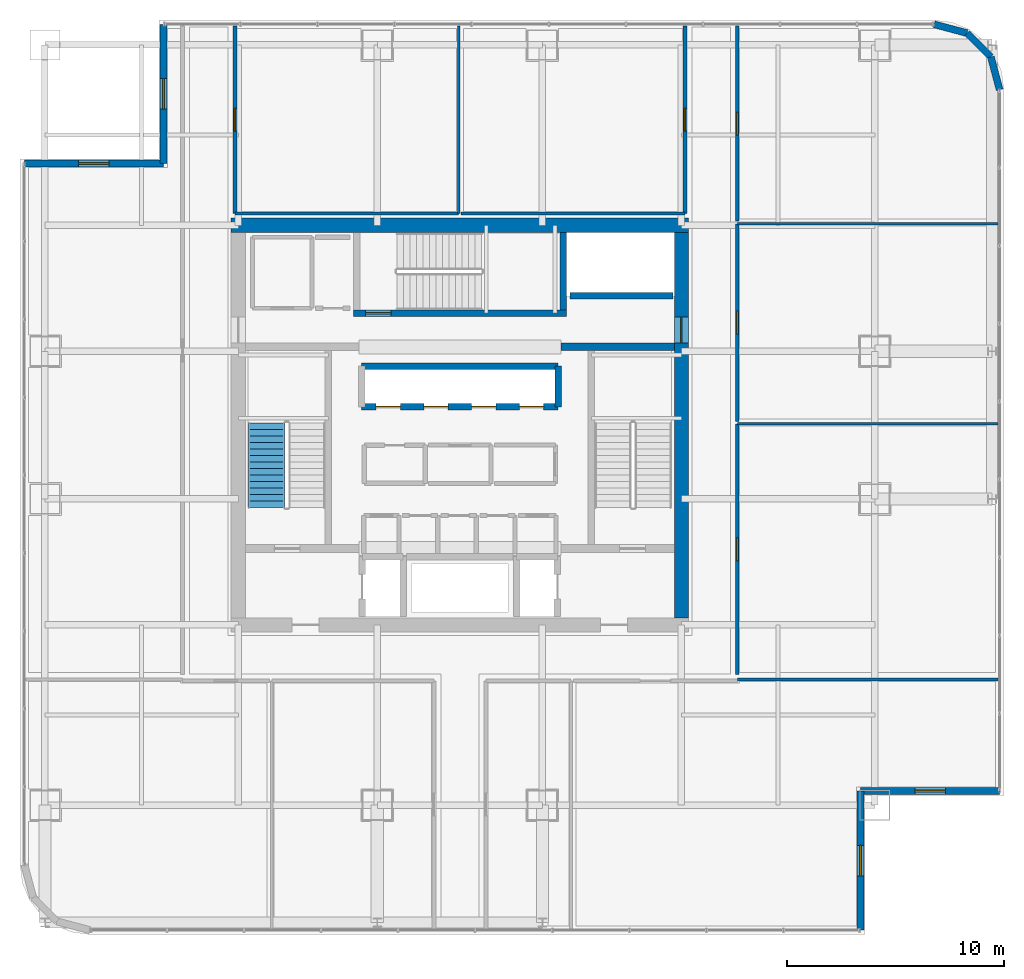
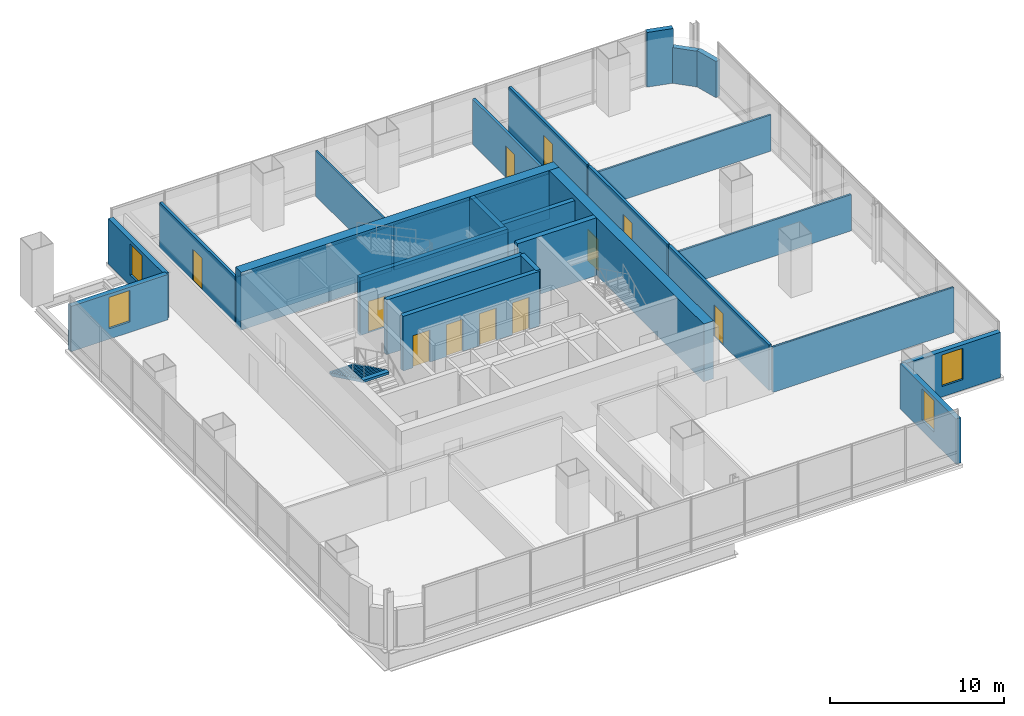
# One storey, part 31 of 36: 27 walls, 11 doors, 4 windows, 1 stair flight, 15 openings, 1 element without a shape of its own.
"""IFC4 building model written with IfcOpenShell, lengths in metres."""

import ifcopenshell
import ifcopenshell.guid

model = None  # the IFC model being written
_history = None  # IfcOwnerHistory: only IFC2X3 demands one
_inside = {}  # id of a spatial element -> (the spatial element, [elements in it])
_under = {}  # id of a project, library or spatial element -> (it, [spatial elements below it])
_declared = {}  # id of a project -> (the project, [libraries it declares])
_typed = {}  # id of a type object -> (the type object, [elements of that type])
_made_of = {}  # id of a material, layer set ... -> (it, [elements and type objects made of it])


def new_model(schema):
    """Start an empty IFC model of exactly this schema.

    Asked for "IFC4X3", IfcOpenShell would pick the latest addendum, in which some entities
    have other attributes; the version numbers below select the first issue.
    IFC2X3 requires an IfcOwnerHistory on every rooted entity: one is made here for all.
    """
    global model, _history
    if schema == "IFC4X3":
        model = ifcopenshell.file(schema_version=(4, 3, 0, 0))
    else:
        model = ifcopenshell.file(schema=schema)
    _inside.clear()
    _under.clear()
    _declared.clear()
    _typed.clear()
    _made_of.clear()
    _history = None
    if model.schema == "IFC2X3":
        org = make("IfcOrganization", Name="unknown")
        user = make(
            "IfcPersonAndOrganization",
            ThePerson=make("IfcPerson", FamilyName="unknown"),
            TheOrganization=org,
        )
        app = make(
            "IfcApplication",
            ApplicationDeveloper=org,
            Version="unknown",
            ApplicationFullName="unknown",
            ApplicationIdentifier="unknown",
        )
        _history = make(
            "IfcOwnerHistory",
            OwningUser=user,
            OwningApplication=app,
            ChangeAction="ADDED",
            CreationDate=0,
        )
    return model


def make(cls, **values):
    """One entity of the class cls with the attributes given. An attribute that is None is left unset."""
    return model.create_entity(
        cls, **{name: value for name, value in values.items() if value is not None}
    )


def rooted(cls, **values):
    """An entity with a GlobalId (a new one), such as an element, a storey or a relation."""
    return make(cls, GlobalId=ifcopenshell.guid.new(), OwnerHistory=_history, **values)


def si_unit(unit_type, name, prefix=None):
    """IfcSIUnit, for example si_unit("LENGTHUNIT", "METRE", prefix="MILLI")."""
    return make("IfcSIUnit", UnitType=unit_type, Prefix=prefix, Name=name)


def assignment(units):
    """IfcUnitAssignment: the units of a project."""
    return None if units is None else make("IfcUnitAssignment", Units=units)


def point(xyz):
    """IfcCartesianPoint."""
    return None if xyz is None else make("IfcCartesianPoint", Coordinates=xyz)


def direction(xyz):
    """IfcDirection."""
    return None if xyz is None else make("IfcDirection", DirectionRatios=xyz)


def frame(location, z_axis=None, x_axis=None):
    """IfcAxis2Placement3D, a coordinate frame: its origin and axes. An axis left out is left unset."""
    return make(
        "IfcAxis2Placement3D",
        Location=point(location),
        Axis=direction(z_axis),
        RefDirection=direction(x_axis),
    )


def frame_2d(location, x_axis=None):
    """IfcAxis2Placement2D, a coordinate frame in the plane: its origin and x axis."""
    return make(
        "IfcAxis2Placement2D", Location=point(location), RefDirection=direction(x_axis)
    )


def origin():
    """The frame at (0, 0, 0) with its axes left unset."""
    return frame((0.0, 0.0, 0.0))


def place(relative_to, where):
    """IfcLocalPlacement: puts the frame where relative to a parent placement (None: the world)."""
    return make(
        "IfcLocalPlacement", PlacementRelTo=relative_to, RelativePlacement=where
    )


def context(
    kind, dimensions, precision=None, world=None, true_north=None, identifier=None
):
    """IfcGeometricRepresentationContext, for example the 3D "Model" context."""
    return make(
        "IfcGeometricRepresentationContext",
        ContextIdentifier=identifier,
        ContextType=kind,
        CoordinateSpaceDimension=dimensions,
        Precision=precision,
        WorldCoordinateSystem=world,
        TrueNorth=true_north,
    )


def subcontext(parent, identifier, kind, view, scale=None):
    """IfcGeometricRepresentationSubContext, for example "Body" below "Model"."""
    return make(
        "IfcGeometricRepresentationSubContext",
        ContextIdentifier=identifier,
        ContextType=kind,
        ParentContext=parent,
        TargetScale=scale,
        TargetView=view,
    )


def project(units=None, contexts=None):
    """IfcProject with its units and contexts."""
    return rooted(
        "IfcProject",
        Name="project",
        RepresentationContexts=contexts,
        UnitsInContext=assignment(units),
    )


def spatial(cls, under=None, at=None, **own):
    """A site, building, storey or space (cls), placed at a placement, below another one or the project."""
    s = rooted(cls, ObjectPlacement=at, **own)
    if under is not None:
        _under.setdefault(under.id(), (under, []))[1].append(s)
    return s


def polyline(points):
    """IfcPolyline through the points."""
    return make("IfcPolyline", Points=[point(p) for p in points])


def profile(cls, at=None, kind="AREA", **sizes):
    """A parametric profile (cls). Its sizes go by their IFC names, for example OverallWidth=200.0."""
    return make(cls, ProfileType=kind, Position=at, **sizes)


def rectangle(**sizes):
    """IfcRectangleProfileDef."""
    return profile("IfcRectangleProfileDef", **sizes)


def outline(outer, holes=None, kind="AREA"):
    """IfcArbitraryClosedProfileDef: a profile drawn as a closed curve; with holes, ...WithVoids."""
    if holes is None:
        return make("IfcArbitraryClosedProfileDef", ProfileType=kind, OuterCurve=outer)
    return make(
        "IfcArbitraryProfileDefWithVoids",
        ProfileType=kind,
        OuterCurve=outer,
        InnerCurves=holes,
    )


def extrude(swept, where, along, depth):
    """IfcExtrudedAreaSolid: the profile swept, set in the frame where, extruded along a direction by depth."""
    return make(
        "IfcExtrudedAreaSolid",
        SweptArea=swept,
        Position=where,
        ExtrudedDirection=direction(along),
        Depth=depth,
    )


def shape(context_of_items, identifier, shape_type, items):
    """IfcShapeRepresentation: the items that make up one representation, for example the "Body"."""
    return make(
        "IfcShapeRepresentation",
        ContextOfItems=context_of_items,
        RepresentationIdentifier=identifier,
        RepresentationType=shape_type,
        Items=items,
    )


def material(Name=None, Category=None):
    """IfcMaterial."""
    return make("IfcMaterial", Name=Name, Category=Category)


def layer(
    of_material, thickness, ventilated=None, Name=None, Category=None, Priority=None
):
    """IfcMaterialLayer: one layer of a wall or slab, of a material (None: an air gap)."""
    return make(
        "IfcMaterialLayer",
        Material=of_material,
        LayerThickness=thickness,
        IsVentilated=ventilated,
        Name=Name,
        Category=Category,
        Priority=Priority,
    )


def layer_set(layers, Name=None):
    """IfcMaterialLayerSet."""
    return make("IfcMaterialLayerSet", MaterialLayers=layers, LayerSetName=Name)


def made_of(thing, what):
    """Note that an element or type object is made of a material, layer set ...; save() writes the relation."""
    if what is not None:
        _made_of.setdefault(what.id(), (what, []))[1].append(thing)
    return thing


def type_object(cls, material=None, **own):
    """A type object (cls), such as IfcWallType, which elements share."""
    return made_of(rooted(cls, **own), material)


def element(
    cls,
    number,
    at=None,
    inside=None,
    cuts=None,
    type_object=None,
    material=None,
    context=None,
    identifier="Body",
    shape_type=None,
    held_by="IfcProductDefinitionShape",
    body=None,
    shapes=None,
    **own,
):
    """One element of the class cls, such as IfcWall. Its Tag is "e" and its number.

    at: its placement. inside: the storey or other place that contains it. cuts: it is an
    opening in that element (IfcRelVoidsElement). A single representation is given by context,
    identifier, shape_type and body (its items); several are given by shapes. held_by: the class
    of the entity that holds the representations. save() writes the other relations.
    """
    e = rooted(cls, Tag="e%d" % number, ObjectPlacement=at, **own)
    if body is not None:
        shapes = [shape(context, identifier, shape_type, body)]
    if shapes is not None:
        e.Representation = make(held_by, Representations=shapes)
    if inside is not None:
        _inside.setdefault(inside.id(), (inside, []))[1].append(e)
    if cuts is not None:
        rooted(
            "IfcRelVoidsElement", RelatingBuildingElement=cuts, RelatedOpeningElement=e
        )
    if type_object is not None:
        _typed.setdefault(type_object.id(), (type_object, []))[1].append(e)
    return made_of(e, material)


def fill(opening, filler):
    """IfcRelFillsElement: the door or window that sits in an opening."""
    return rooted(
        "IfcRelFillsElement",
        RelatingOpeningElement=opening,
        RelatedBuildingElement=filler,
    )


def aggregate(whole, parts):
    """IfcRelAggregates: a whole, such as a stair, and the parts it consists of."""
    return rooted("IfcRelAggregates", RelatingObject=whole, RelatedObjects=parts)


def save(model, path):
    """Write the relations noted so far, then the file.

    IfcRelAggregates (storeys below a building ...), IfcRelContainedInSpatialStructure (elements
    in a storey), IfcRelDefinesByType, IfcRelAssociatesMaterial and IfcRelDeclares: one each for
    every whole, place, type object, material and project.
    """
    for whole, parts in _under.values():
        aggregate(whole, parts)
    for where, things in _inside.values():
        rooted(
            "IfcRelContainedInSpatialStructure",
            RelatedElements=things,
            RelatingStructure=where,
        )
    for kind, things in _typed.values():
        rooted("IfcRelDefinesByType", RelatedObjects=things, RelatingType=kind)
    for what, things in _made_of.values():
        rooted("IfcRelAssociatesMaterial", RelatedObjects=things, RelatingMaterial=what)
    for by, libraries in _declared.values():
        rooted("IfcRelDeclares", RelatingContext=by, RelatedDefinitions=libraries)
    model.write(path)


model = new_model("IFC4")

# Units and contexts
model_context = context("Model", 3, precision=1e-05, world=origin(), true_north=direction((0.0, 1.0)))
body_context = subcontext(model_context, "Body", "Model", "MODEL_VIEW")
ifc_project = project(units=[si_unit("LENGTHUNIT", "METRE"), si_unit("AREAUNIT", "SQUARE_METRE"), si_unit("VOLUMEUNIT", "CUBIC_METRE"), si_unit("PLANEANGLEUNIT", "RADIAN"), si_unit("MASSUNIT", "GRAM", prefix="KILO")], contexts=[model_context])

# Site, building, storey
site_placement = place(None, origin())
site = spatial("IfcSite", under=ifc_project, at=site_placement, CompositionType="ELEMENT")
building_placement = place(site_placement, origin())
building = spatial("IfcBuilding", under=site, at=building_placement, Name="Punatoya Terracotta Tower", CompositionType="ELEMENT")
storey_placement = place(building_placement, frame((0.0, 0.0, 228.89990234375)))
storey = spatial("IfcBuildingStorey", under=building, at=storey_placement, Name="L54", CompositionType="ELEMENT", Elevation=228.89990234375)

# Wall
ifc_material_1 = material(Name="Concrete C60/75", Category="concrete")
ifc_layer_1 = layer(ifc_material_1, 0.64990234375)
ifc_layer_set_1 = layer_set([ifc_layer_1], Name="Concrete C60/75")
wall_type_1 = type_object("IfcWallType", Name="WL-COR-650", PredefinedType="SHEAR", material=ifc_layer_set_1)
wall_1_placement = place(storey_placement, frame((-10.52490234375, 9.199951171875, 0.0), z_axis=(0.0, 0.0, 1.0), x_axis=(1.0, 0.0, 0.0)))
element("IfcWall", 1, at=wall_1_placement, inside=storey, type_object=wall_type_1, Name="L54 Core Shear Wall N", PredefinedType="SHEAR", context=body_context, shape_type="SweptSolid", body=[
    extrude(rectangle(XDim=21.0498046875, YDim=0.64990234375, at=frame_2d((10.52490234375, 0.0))), origin(), (0.0, 0.0, 1.0), 4.050048828125),
])

# Wall, opening, door
wall_2_placement = place(storey_placement, frame((10.199951171875, 8.875, 0.0), z_axis=(0.0, 0.0, 1.0), x_axis=(0.0, -1.0, 0.0)))
wall_2 = element("IfcWall", 2, at=wall_2_placement, inside=storey, type_object=wall_type_1, Name="L54 Core Shear Wall E", PredefinedType="SHEAR", context=body_context, shape_type="SweptSolid", body=[
    extrude(rectangle(XDim=17.75, YDim=0.64990234375, at=frame_2d((8.875, 0.0))), origin(), (0.0, 0.0, 1.0), 4.050048828125),
])
opening_1_placement = place(wall_2_placement, frame((3.905029296875, 0.0, 0.0)))
opening_1 = element("IfcOpeningElement", 3, at=opening_1_placement, cuts=wall_2, Name="Opening SD-01", PredefinedType="OPENING", context=body_context, shape_type="SweptSolid", body=[
    extrude(rectangle(XDim=1.179931640625, YDim=2.199951171875, at=frame_2d((0.58984375, 1.10009765625))), frame((0.0, 0.3349609375, 0.0), z_axis=(0.0, -1.0, 0.0), x_axis=(1.0, 0.0, 0.0)), (0.0, 0.0, 1.0), 0.669921875),
])
ifc_material_2 = material(Name="Galvanised Steel Pressurized Stair Fire Door", Category="steel")
door_type_1 = type_object("IfcDoorType", Name="DR-STR-1180", OperationType="NOTDEFINED", PredefinedType="DOOR", material=ifc_material_2)
door_1_placement = place(opening_1_placement, origin())
door_1 = element("IfcDoor", 4, at=door_1_placement, inside=storey, type_object=door_type_1, Name="L54 Central Lift Lobby East Fire Door", OperationType="SINGLE_SWING_RIGHT", OverallHeight=2.199951171875, OverallWidth=1.179931640625, PredefinedType="DOOR", context=body_context, shape_type="SweptSolid", body=[
    extrude(rectangle(XDim=1.179931640625, YDim=2.199951171875, at=frame_2d((0.58984375, 1.10009765625))), frame((0.0, 0.02490234375, 0.0), z_axis=(0.0, -1.0, 0.0), x_axis=(1.0, 0.0, 0.0)), (0.0, 0.0, 1.0), 0.050048828125),
])
fill(opening_1, door_1)

ifc_material_3 = material(Name="Gypsum Fireboard + Steel Stud", Category="steel")
ifc_layer_2 = layer(ifc_material_3, 0.179931640625)
ifc_layer_set_2 = layer_set([ifc_layer_2], Name="Gypsum Fireboard + Steel Stud")
wall_type_2 = type_object("IfcWallType", Name="WL-CORR-180", PredefinedType="PARTITIONING", material=ifc_layer_set_2)
wall_3_placement = place(storey_placement, frame((12.77001953125, -11.489990234375, 0.0), z_axis=(0.0, 0.0, 1.0), x_axis=(0.0, 1.0, 0.0)))
wall_3 = element("IfcWall", 5, at=wall_3_placement, inside=storey, type_object=wall_type_2, Name="L54 Open-Plan Digital Reference Library Partition 38", PredefinedType="PARTITIONING", context=body_context, shape_type="SweptSolid", body=[
    extrude(rectangle(XDim=11.5458984375, YDim=0.179931640625, at=frame_2d((5.77294921875, 0.0))), origin(), (0.0, 0.0, 1.0), 3.174072265625),
])
opening_2_placement = place(wall_3_placement, frame((5.248046875, 0.0, 0.0)))
opening_2 = element("IfcOpeningElement", 6, at=opening_2_placement, cuts=wall_3, Name="Opening OD-01", PredefinedType="OPENING", context=body_context, shape_type="SweptSolid", body=[
    extrude(rectangle(XDim=1.050048828125, YDim=2.199951171875, at=frame_2d((0.52490234375, 1.10009765625))), frame((0.0, 0.099853515625, 0.0), z_axis=(0.0, -1.0, 0.0), x_axis=(1.0, 0.0, 0.0)), (0.0, 0.0, 1.0), 0.199951171875),
])
ifc_material_4 = material(Name="Bengal Teak Solid-Core Leaf")
door_type_2 = type_object("IfcDoorType", Name="DR-OFF-1050", OperationType="NOTDEFINED", PredefinedType="DOOR", material=ifc_material_4)
door_2_placement = place(opening_2_placement, origin())
door_2 = element("IfcDoor", 7, at=door_2_placement, inside=storey, type_object=door_type_2, Name="L54 Open-Plan Digital Reference Library Door", OperationType="SINGLE_SWING_RIGHT", OverallHeight=2.199951171875, OverallWidth=1.050048828125, PredefinedType="DOOR", context=body_context, shape_type="SweptSolid", body=[
    extrude(rectangle(XDim=1.050048828125, YDim=2.199951171875, at=frame_2d((0.52490234375, 1.10009765625))), frame((0.0, 0.02490234375, 0.0), z_axis=(0.0, -1.0, 0.0), x_axis=(1.0, 0.0, 0.0)), (0.0, 0.0, 1.0), 0.050048828125),
])
fill(opening_2, door_2)

wall_4_placement = place(storey_placement, frame((12.77001953125, 0.176025390625, 0.0), z_axis=(0.0, 0.0, 1.0), x_axis=(0.0, 1.0, 0.0)))
wall_4 = element("IfcWall", 8, at=wall_4_placement, inside=storey, type_object=wall_type_2, Name="L54 Open-Plan Wellness Quiet Room Partition 41", PredefinedType="PARTITIONING", context=body_context, shape_type="SweptSolid", body=[
    extrude(rectangle(XDim=9.090087890625, YDim=0.179931640625, at=frame_2d((4.544921875, 0.0))), origin(), (0.0, 0.0, 1.0), 3.174072265625),
])
opening_3_placement = place(wall_4_placement, frame((4.02001953125, 0.0, 0.0)))
opening_3 = element("IfcOpeningElement", 9, at=opening_3_placement, cuts=wall_4, Name="Opening OD-01", PredefinedType="OPENING", context=body_context, shape_type="SweptSolid", body=[
    extrude(rectangle(XDim=1.050048828125, YDim=2.199951171875, at=frame_2d((0.52490234375, 1.10009765625))), frame((0.0, 0.099853515625, 0.0), z_axis=(0.0, -1.0, 0.0), x_axis=(1.0, 0.0, 0.0)), (0.0, 0.0, 1.0), 0.199951171875),
])
door_3_placement = place(opening_3_placement, origin())
door_3 = element("IfcDoor", 10, at=door_3_placement, inside=storey, type_object=door_type_2, Name="L54 Open-Plan Wellness Quiet Room Door", OperationType="SINGLE_SWING_RIGHT", OverallHeight=2.199951171875, OverallWidth=1.050048828125, PredefinedType="DOOR", context=body_context, shape_type="SweptSolid", body=[
    extrude(rectangle(XDim=1.050048828125, YDim=2.199951171875, at=frame_2d((0.52490234375, 1.10009765625))), frame((0.0, 0.02490234375, 0.0), z_axis=(0.0, -1.0, 0.0), x_axis=(1.0, 0.0, 0.0)), (0.0, 0.0, 1.0), 0.050048828125),
])
fill(opening_3, door_3)

wall_5_placement = place(storey_placement, frame((12.77001953125, 9.385986328125, 0.0), z_axis=(0.0, 0.0, 1.0), x_axis=(0.0, 1.0, 0.0)))
wall_5 = element("IfcWall", 11, at=wall_5_placement, inside=storey, type_object=wall_type_2, Name="L54 Open-Plan Systems Engineering Office Partition 43", PredefinedType="PARTITIONING", context=body_context, shape_type="SweptSolid", body=[
    extrude(rectangle(XDim=8.984130859375, YDim=0.179931640625, at=frame_2d((4.4921875, 0.0))), origin(), (0.0, 0.0, 1.0), 3.174072265625),
])
opening_4_placement = place(wall_5_placement, frame((3.967041015625, 0.0, 0.0)))
opening_4 = element("IfcOpeningElement", 12, at=opening_4_placement, cuts=wall_5, Name="Opening OD-01", PredefinedType="OPENING", context=body_context, shape_type="SweptSolid", body=[
    extrude(rectangle(XDim=1.050048828125, YDim=2.199951171875, at=frame_2d((0.52490234375, 1.10009765625))), frame((0.0, 0.099853515625, 0.0), z_axis=(0.0, -1.0, 0.0), x_axis=(1.0, 0.0, 0.0)), (0.0, 0.0, 1.0), 0.199951171875),
])
door_4_placement = place(opening_4_placement, origin())
door_4 = element("IfcDoor", 13, at=door_4_placement, inside=storey, type_object=door_type_2, Name="L54 Open-Plan Systems Engineering Office Door", OperationType="SINGLE_SWING_LEFT", OverallHeight=2.199951171875, OverallWidth=1.050048828125, PredefinedType="DOOR", context=body_context, shape_type="SweptSolid", body=[
    extrude(rectangle(XDim=1.050048828125, YDim=2.199951171875, at=frame_2d((0.52490234375, 1.10009765625))), frame((0.0, 0.02490234375, 0.0), z_axis=(0.0, -1.0, 0.0), x_axis=(1.0, 0.0, 0.0)), (0.0, 0.0, 1.0), 0.050048828125),
])
fill(opening_4, door_4)

wall_6_placement = place(storey_placement, frame((-10.360107421875, 9.739990234375, 0.0), z_axis=(0.0, 0.0, 1.0), x_axis=(0.0, 1.0, 0.0)))
wall_6 = element("IfcWall", 14, at=wall_6_placement, inside=storey, type_object=wall_type_2, Name="L54 Open-Plan Quantitative Practice Office Partition 46", PredefinedType="PARTITIONING", context=body_context, shape_type="SweptSolid", body=[
    extrude(rectangle(XDim=8.630126953125, YDim=0.179931640625, at=frame_2d((4.31494140625, 0.0))), origin(), (0.0, 0.0, 1.0), 3.174072265625),
])
opening_5_placement = place(wall_6_placement, frame((3.7900390625, 0.0, 0.0)))
opening_5 = element("IfcOpeningElement", 15, at=opening_5_placement, cuts=wall_6, Name="Opening OD-01", PredefinedType="OPENING", context=body_context, shape_type="SweptSolid", body=[
    extrude(rectangle(XDim=1.050048828125, YDim=2.199951171875, at=frame_2d((0.52490234375, 1.10009765625))), frame((0.0, 0.099853515625, 0.0), z_axis=(0.0, -1.0, 0.0), x_axis=(1.0, 0.0, 0.0)), (0.0, 0.0, 1.0), 0.199951171875),
])
door_5_placement = place(opening_5_placement, origin())
door_5 = element("IfcDoor", 16, at=door_5_placement, inside=storey, type_object=door_type_2, Name="L54 Open-Plan Quantitative Practice Office Door", OperationType="SINGLE_SWING_RIGHT", OverallHeight=2.199951171875, OverallWidth=1.050048828125, PredefinedType="DOOR", context=body_context, shape_type="SweptSolid", body=[
    extrude(rectangle(XDim=1.050048828125, YDim=2.199951171875, at=frame_2d((0.52490234375, 1.10009765625))), frame((0.0, 0.02490234375, 0.0), z_axis=(0.0, -1.0, 0.0), x_axis=(1.0, 0.0, 0.0)), (0.0, 0.0, 1.0), 0.050048828125),
])
fill(opening_5, door_5)

wall_7_placement = place(storey_placement, frame((10.360107421875, 18.3701171875, 0.0), z_axis=(0.0, 0.0, 1.0), x_axis=(0.0, -1.0, 0.0)))
wall_7 = element("IfcWall", 17, at=wall_7_placement, inside=storey, type_object=wall_type_2, Name="L54 Open-Plan Regional Operations Office Partition 48", PredefinedType="PARTITIONING", context=body_context, shape_type="SweptSolid", body=[
    extrude(rectangle(XDim=8.630126953125, YDim=0.179931640625, at=frame_2d((4.31494140625, 0.0))), origin(), (0.0, 0.0, 1.0), 3.174072265625),
])
opening_6_placement = place(wall_7_placement, frame((3.7900390625, 0.0, 0.0)))
opening_6 = element("IfcOpeningElement", 18, at=opening_6_placement, cuts=wall_7, Name="Opening OD-01", PredefinedType="OPENING", context=body_context, shape_type="SweptSolid", body=[
    extrude(rectangle(XDim=1.050048828125, YDim=2.199951171875, at=frame_2d((0.52490234375, 1.10009765625))), frame((0.0, 0.099853515625, 0.0), z_axis=(0.0, -1.0, 0.0), x_axis=(1.0, 0.0, 0.0)), (0.0, 0.0, 1.0), 0.199951171875),
])
door_6_placement = place(opening_6_placement, origin())
door_6 = element("IfcDoor", 19, at=door_6_placement, inside=storey, type_object=door_type_2, Name="L54 Open-Plan Regional Operations Office Door", OperationType="SINGLE_SWING_LEFT", OverallHeight=2.199951171875, OverallWidth=1.050048828125, PredefinedType="DOOR", context=body_context, shape_type="SweptSolid", body=[
    extrude(rectangle(XDim=1.050048828125, YDim=2.199951171875, at=frame_2d((0.52490234375, 1.10009765625))), frame((0.0, 0.02490234375, 0.0), z_axis=(0.0, -1.0, 0.0), x_axis=(1.0, 0.0, 0.0)), (0.0, 0.0, 1.0), 0.050048828125),
])
fill(opening_6, door_6)

# Wall, opening, window
ifc_material_5 = material(Name="Precast concrete C40/50", Category="concrete")
ifc_layer_3 = layer(ifc_material_5, 0.320068359375)
ifc_layer_set_3 = layer_set([ifc_layer_3], Name="Precast concrete C40/50")
wall_type_3 = type_object("IfcWallType", Name="WL-EXT-320", PredefinedType="SOLIDWALL", material=ifc_layer_set_3)
wall_8_placement = place(storey_placement, frame((18.449951171875, -23.25, 0.0), z_axis=(0.0, 0.0, 1.0), x_axis=(0.0, 1.0, 0.0)))
wall_8 = element("IfcWall", 20, at=wall_8_placement, inside=storey, type_object=wall_type_3, Name="L54 Recessed Corner-Slot Terracotta Wall 02", PredefinedType="SOLIDWALL", context=body_context, shape_type="SweptSolid", body=[
    extrude(rectangle(XDim=6.39990234375, YDim=0.320068359375, at=frame_2d((3.199951171875, 0.0))), origin(), (0.0, 0.0, 1.0), 3.174072265625),
])
opening_7_placement = place(wall_8_placement, frame((2.5, 0.0, 0.73388671875)))
opening_7 = element("IfcOpeningElement", 21, at=opening_7_placement, cuts=wall_8, Name="Opening WN-04", PredefinedType="OPENING", context=body_context, shape_type="SweptSolid", body=[
    extrude(rectangle(XDim=1.39990234375, YDim=2.199951171875, at=frame_2d((0.699951171875, 1.10009765625))), frame((0.0, 0.169921875, 0.0), z_axis=(0.0, -1.0, 0.0), x_axis=(1.0, 0.0, 0.0)), (0.0, 0.0, 1.0), 0.340087890625),
])
ifc_material_6 = material(Name="Aluminium 6063-T6 + Double Low-E Glass", Category="aluminium")
window_type = type_object("IfcWindowType", Name="WIN-OFF-1400", PartitioningType="SINGLE_PANEL", PredefinedType="WINDOW", material=ifc_material_6)
window_1_placement = place(opening_7_placement, origin())
window_1 = element("IfcWindow", 22, at=window_1_placement, inside=storey, type_object=window_type, Name="L54 Corner-Slot Punched Window 02", OverallHeight=2.199951171875, OverallWidth=1.39990234375, PartitioningType="SINGLE_PANEL", PredefinedType="WINDOW", context=body_context, shape_type="SweptSolid", body=[
    extrude(rectangle(XDim=1.39990234375, YDim=2.199951171875, at=frame_2d((0.699951171875, 1.10009765625))), frame((0.0, 0.030029296875, 0.0), z_axis=(0.0, -1.0, 0.0), x_axis=(1.0, 0.0, 0.0)), (0.0, 0.0, 1.0), 0.06005859375),
])
fill(opening_7, window_1)

wall_9_placement = place(storey_placement, frame((18.449951171875, -16.85009765625, 0.0), z_axis=(0.0, 0.0, 1.0), x_axis=(1.0, 0.0, 0.0)))
wall_9 = element("IfcWall", 23, at=wall_9_placement, inside=storey, type_object=wall_type_3, Name="L54 Recessed Corner-Slot Terracotta Wall 03", PredefinedType="SOLIDWALL", context=body_context, shape_type="SweptSolid", body=[
    extrude(rectangle(XDim=6.400146484375, YDim=0.320068359375, at=frame_2d((3.2001953125, 0.0))), origin(), (0.0, 0.0, 1.0), 3.174072265625),
])
opening_8_placement = place(wall_9_placement, frame((2.5, 0.0, 0.73388671875)))
opening_8 = element("IfcOpeningElement", 24, at=opening_8_placement, cuts=wall_9, Name="Opening WN-04", PredefinedType="OPENING", context=body_context, shape_type="SweptSolid", body=[
    extrude(rectangle(XDim=1.39990234375, YDim=2.199951171875, at=frame_2d((0.699951171875, 1.10009765625))), frame((0.0, 0.169921875, 0.0), z_axis=(0.0, -1.0, 0.0), x_axis=(1.0, 0.0, 0.0)), (0.0, 0.0, 1.0), 0.340087890625),
])
window_2_placement = place(opening_8_placement, origin())
window_2 = element("IfcWindow", 25, at=window_2_placement, inside=storey, type_object=window_type, Name="L54 Corner-Slot Punched Window 03", OverallHeight=2.199951171875, OverallWidth=1.39990234375, PartitioningType="SINGLE_PANEL", PredefinedType="WINDOW", context=body_context, shape_type="SweptSolid", body=[
    extrude(rectangle(XDim=1.39990234375, YDim=2.199951171875, at=frame_2d((0.699951171875, 1.10009765625))), frame((0.0, 0.030029296875, 0.0), z_axis=(0.0, -1.0, 0.0), x_axis=(1.0, 0.0, 0.0)), (0.0, 0.0, 1.0), 0.06005859375),
])
fill(opening_8, window_2)

# Walls
wall_10_placement = place(storey_placement, frame((24.85009765625, 15.43701171875, 0.0), z_axis=(0.0, 0.0, 1.0), x_axis=(-0.257847112249, 0.966185730957, 0.0)))
element("IfcWall", 26, at=wall_10_placement, inside=storey, type_object=wall_type_3, Name="L54 Rounded Terracotta Corner Pier 05", PredefinedType="SOLIDWALL", context=body_context, shape_type="SweptSolid", body=[
    extrude(rectangle(XDim=1.565185546875, YDim=0.320068359375, at=frame_2d((0.78271484375, 0.0))), origin(), (0.0, 0.0, 1.0), 2.544189453125),
])
wall_11_placement = place(storey_placement, frame((24.446533203125, 16.94921875, 0.0), z_axis=(0.0, 0.0, 1.0), x_axis=(-0.707106781187, 0.707106781187, 0.0)))
element("IfcWall", 27, at=wall_11_placement, inside=storey, type_object=wall_type_3, Name="L54 Rounded Terracotta Corner Pier 06", PredefinedType="SOLIDWALL", context=body_context, shape_type="SweptSolid", body=[
    extrude(rectangle(XDim=1.552001953125, YDim=0.320068359375, at=frame_2d((0.77587890625, 0.0))), origin(), (0.0, 0.0, 1.0), 2.504150390625),
])
wall_12_placement = place(storey_placement, frame((23.34912109375, 18.046630859375, 0.0), z_axis=(0.0, 0.0, 1.0), x_axis=(-0.966224582397, 0.257701486942, 0.0)))
element("IfcWall", 28, at=wall_12_placement, inside=storey, type_object=wall_type_3, Name="L54 Rounded Terracotta Corner Pier 07", PredefinedType="SOLIDWALL", context=body_context, shape_type="SweptSolid", body=[
    extrude(rectangle(XDim=1.565185546875, YDim=0.320068359375, at=frame_2d((0.78271484375, 0.0))), origin(), (0.0, 0.0, 1.0), 3.830078125),
])

# Wall, opening, window
wall_13_placement = place(storey_placement, frame((-13.64990234375, 18.449951171875, 0.0), z_axis=(0.0, 0.0, 1.0), x_axis=(0.0, -1.0, 0.0)))
wall_13 = element("IfcWall", 29, at=wall_13_placement, inside=storey, type_object=wall_type_3, Name="L54 Recessed Corner-Slot Terracotta Wall 09", PredefinedType="SOLIDWALL", context=body_context, shape_type="SweptSolid", body=[
    extrude(rectangle(XDim=6.39990234375, YDim=0.320068359375, at=frame_2d((3.199951171875, 0.0))), origin(), (0.0, 0.0, 1.0), 3.174072265625),
])
opening_9_placement = place(wall_13_placement, frame((2.5, 0.0, 0.73388671875)))
opening_9 = element("IfcOpeningElement", 30, at=opening_9_placement, cuts=wall_13, Name="Opening WN-04", PredefinedType="OPENING", context=body_context, shape_type="SweptSolid", body=[
    extrude(rectangle(XDim=1.39990234375, YDim=2.199951171875, at=frame_2d((0.699951171875, 1.10009765625))), frame((0.0, 0.169921875, 0.0), z_axis=(0.0, -1.0, 0.0), x_axis=(1.0, 0.0, 0.0)), (0.0, 0.0, 1.0), 0.340087890625),
])
window_3_placement = place(opening_9_placement, origin())
window_3 = element("IfcWindow", 31, at=window_3_placement, inside=storey, type_object=window_type, Name="L54 Corner-Slot Punched Window 09", OverallHeight=2.199951171875, OverallWidth=1.39990234375, PartitioningType="SINGLE_PANEL", PredefinedType="WINDOW", context=body_context, shape_type="SweptSolid", body=[
    extrude(rectangle(XDim=1.39990234375, YDim=2.199951171875, at=frame_2d((0.699951171875, 1.10009765625))), frame((0.0, 0.030029296875, 0.0), z_axis=(0.0, -1.0, 0.0), x_axis=(1.0, 0.0, 0.0)), (0.0, 0.0, 1.0), 0.06005859375),
])
fill(opening_9, window_3)

wall_14_placement = place(storey_placement, frame((-13.64990234375, 12.050048828125, 0.0), z_axis=(0.0, 0.0, 1.0), x_axis=(-1.0, 0.0, 0.0)))
wall_14 = element("IfcWall", 32, at=wall_14_placement, inside=storey, type_object=wall_type_3, Name="L54 Recessed Corner-Slot Terracotta Wall 10", PredefinedType="SOLIDWALL", context=body_context, shape_type="SweptSolid", body=[
    extrude(rectangle(XDim=6.400146484375, YDim=0.320068359375, at=frame_2d((3.2001953125, 0.0))), origin(), (0.0, 0.0, 1.0), 3.174072265625),
])
opening_10_placement = place(wall_14_placement, frame((2.5, 0.0, 0.73388671875)))
opening_10 = element("IfcOpeningElement", 33, at=opening_10_placement, cuts=wall_14, Name="Opening WN-04", PredefinedType="OPENING", context=body_context, shape_type="SweptSolid", body=[
    extrude(rectangle(XDim=1.39990234375, YDim=2.199951171875, at=frame_2d((0.699951171875, 1.10009765625))), frame((0.0, 0.169921875, 0.0), z_axis=(0.0, -1.0, 0.0), x_axis=(1.0, 0.0, 0.0)), (0.0, 0.0, 1.0), 0.340087890625),
])
window_4_placement = place(opening_10_placement, origin())
window_4 = element("IfcWindow", 34, at=window_4_placement, inside=storey, type_object=window_type, Name="L54 Corner-Slot Punched Window 10", OverallHeight=2.199951171875, OverallWidth=1.39990234375, PartitioningType="SINGLE_PANEL", PredefinedType="WINDOW", context=body_context, shape_type="SweptSolid", body=[
    extrude(rectangle(XDim=1.39990234375, YDim=2.199951171875, at=frame_2d((0.699951171875, 1.10009765625))), frame((0.0, 0.030029296875, 0.0), z_axis=(0.0, -1.0, 0.0), x_axis=(1.0, 0.0, 0.0)), (0.0, 0.0, 1.0), 0.06005859375),
])
fill(opening_10, window_4)

# Walls
ifc_material_7 = material(Name="Gypsum Partition + Steel Stud", Category="steel")
ifc_layer_4 = layer(ifc_material_7, 0.1201171875)
ifc_layer_set_4 = layer_set([ifc_layer_4], Name="Gypsum Partition + Steel Stud")
wall_type_4 = type_object("IfcWallType", Name="WL-OFF-120", PredefinedType="PARTITIONING", material=ifc_layer_set_4)
wall_15_placement = place(storey_placement, frame((12.77001953125, -11.7099609375, 0.0), z_axis=(0.0, 0.0, 1.0), x_axis=(1.0, 0.0, 0.0)))
element("IfcWall", 35, at=wall_15_placement, inside=storey, type_object=wall_type_4, Name="L54 Client Strategy Boardroom Partition 37", PredefinedType="PARTITIONING", context=body_context, shape_type="SweptSolid", body=[
    extrude(rectangle(XDim=12.0, YDim=0.1201171875, at=frame_2d((6.0, 0.0))), origin(), (0.0, 0.0, 1.0), 3.174072265625),
])
for number, where, z_axis, x_axis, name in (
    (36, (12.77001953125, 0.055908203125, 0.0), (0.0, 0.0, 1.0), (1.0, 0.0, 0.0), "L54 Open-Plan Digital Reference Library Partition 39"),
    (37, (12.77001953125, 9.26611328125, 0.0), (0.0, 0.0, 1.0), (1.0, 0.0, 0.0), "L54 Open-Plan Wellness Quiet Room Partition 42"),
):
    element("IfcWall", number, at=place(storey_placement, frame(where, z_axis=z_axis, x_axis=x_axis)), inside=storey, type_object=wall_type_4, Name=name, PredefinedType="PARTITIONING", context=body_context, shape_type="SweptSolid", body=[
        extrude(rectangle(XDim=12.0, YDim=0.1201171875, at=frame_2d((6.0, 0.0))), origin(), (0.0, 0.0, 1.0), 2.544189453125),
    ])
wall_16_placement = place(storey_placement, frame((-0.06005859375, 18.3701171875, 0.0), z_axis=(0.0, 0.0, 1.0), x_axis=(0.0, -1.0, 0.0)))
element("IfcWall", 38, at=wall_16_placement, inside=storey, type_object=wall_type_4, Name="L54 Open-Plan Quantitative Practice Office Partition 44", PredefinedType="PARTITIONING", context=body_context, shape_type="SweptSolid", body=[
    extrude(rectangle(XDim=8.630126953125, YDim=0.1201171875, at=frame_2d((4.31494140625, 0.0))), origin(), (0.0, 0.0, 1.0), 3.174072265625),
])
for number, where, z_axis, x_axis, name in (
    (39, (-0.06005859375, 9.739990234375, 0.0), (0.0, 0.0, 1.0), (-1.0, 0.0, 0.0), "L54 Open-Plan Quantitative Practice Office Partition 45"),
    (40, (10.360107421875, 9.739990234375, 0.0), (0.0, 0.0, 1.0), (-1.0, 0.0, 0.0), "L54 Open-Plan Regional Operations Office Partition 47"),
):
    element("IfcWall", number, at=place(storey_placement, frame(where, z_axis=z_axis, x_axis=x_axis)), inside=storey, type_object=wall_type_4, Name=name, PredefinedType="PARTITIONING", context=body_context, shape_type="SweptSolid", body=[
        extrude(rectangle(XDim=10.300048828125, YDim=0.1201171875, at=frame_2d((5.14990234375, 0.0))), origin(), (0.0, 0.0, 1.0), 3.174072265625),
    ])
ifc_material_8 = material(Name="Concrete C40/50", Category="concrete")
ifc_layer_5 = layer(ifc_material_8, 0.300048828125)
ifc_layer_set_5 = layer_set([ifc_layer_5], Name="Concrete C40/50")
wall_type_5 = type_object("IfcWallType", Name="WL-SHF-300", PredefinedType="SOLIDWALL", material=ifc_layer_set_5)
wall_17_placement = place(storey_placement, frame((4.75, 8.875, 0.0), z_axis=(0.0, 0.0, 1.0), x_axis=(0.0, -1.0, 0.0)))
element("IfcWall", 41, at=wall_17_placement, inside=storey, type_object=wall_type_5, Name="L54 Structural Stair Shaft Wall SW-ST3-E", PredefinedType="SOLIDWALL", context=body_context, shape_type="SweptSolid", body=[
    extrude(rectangle(XDim=3.574951171875, YDim=0.300048828125, at=frame_2d((1.78759765625, 0.0))), origin(), (0.0, 0.0, 1.0), 4.050048828125),
])

# Wall, opening, door
wall_18_placement = place(storey_placement, frame((-4.89990234375, 5.14990234375, 0.0), z_axis=(0.0, 0.0, 1.0), x_axis=(1.0, 0.0, 0.0)))
wall_18 = element("IfcWall", 42, at=wall_18_placement, inside=storey, type_object=wall_type_5, Name="L54 Structural Stair Shaft Wall SW-ST3-S", PredefinedType="SOLIDWALL", context=body_context, shape_type="SweptSolid", body=[
    extrude(rectangle(XDim=9.7998046875, YDim=0.300048828125, at=frame_2d((4.89990234375, 0.0))), origin(), (0.0, 0.0, 1.0), 4.050048828125),
])
opening_11_placement = place(wall_18_placement, frame((0.56005859375, 0.0, 0.0)))
opening_11 = element("IfcOpeningElement", 43, at=opening_11_placement, cuts=wall_18, Name="Opening SD-01", PredefinedType="OPENING", context=body_context, shape_type="SweptSolid", body=[
    extrude(rectangle(XDim=1.179931640625, YDim=2.199951171875, at=frame_2d((0.58984375, 1.10009765625))), frame((0.0, 0.159912109375, 0.0), z_axis=(0.0, -1.0, 0.0), x_axis=(1.0, 0.0, 0.0)), (0.0, 0.0, 1.0), 0.320068359375),
])
door_7_placement = place(opening_11_placement, origin())
door_7 = element("IfcDoor", 44, at=door_7_placement, inside=storey, type_object=door_type_1, Name="L54 Stair ST-3 Core Lobby Fire Door", OperationType="SINGLE_SWING_LEFT", OverallHeight=2.199951171875, OverallWidth=1.179931640625, PredefinedType="DOOR", context=body_context, shape_type="SweptSolid", body=[
    extrude(rectangle(XDim=1.179931640625, YDim=2.199951171875, at=frame_2d((0.58984375, 1.10009765625))), frame((0.0, 0.02490234375, 0.0), z_axis=(0.0, -1.0, 0.0), x_axis=(1.0, 0.0, 0.0)), (0.0, 0.0, 1.0), 0.050048828125),
])
fill(opening_11, door_7)

# Wall, openings, doors
wall_19_placement = place(storey_placement, frame((-4.52001953125, 0.840087890625, 0.0), z_axis=(0.0, 0.0, 1.0), x_axis=(1.0, 0.0, 0.0)))
wall_19 = element("IfcWall", 45, at=wall_19_placement, inside=storey, type_object=wall_type_5, Name="L54 North Lift Bank Front Shaft Wall", PredefinedType="SOLIDWALL", context=body_context, shape_type="SweptSolid", body=[
    extrude(rectangle(XDim=9.0400390625, YDim=0.300048828125, at=frame_2d((4.52001953125, 0.0))), origin(), (0.0, 0.0, 1.0), 3.830078125),
])
opening_12_placement = place(wall_19_placement, frame((0.659912109375, 0.0, 0.0)))
opening_12 = element("IfcOpeningElement", 46, at=opening_12_placement, cuts=wall_19, Name="Opening LD-02", PredefinedType="OPENING", context=body_context, shape_type="SweptSolid", body=[
    extrude(rectangle(XDim=1.1201171875, YDim=2.25, at=frame_2d((0.56005859375, 1.125))), frame((0.0, 0.159912109375, 0.0), z_axis=(0.0, -1.0, 0.0), x_axis=(1.0, 0.0, 0.0)), (0.0, 0.0, 1.0), 0.320068359375),
])
opening_13_placement = place(wall_19_placement, frame((2.860107421875, 0.0, 0.0)))
opening_13 = element("IfcOpeningElement", 47, at=opening_13_placement, cuts=wall_19, Name="Opening LD-02", PredefinedType="OPENING", context=body_context, shape_type="SweptSolid", body=[
    extrude(rectangle(XDim=1.1201171875, YDim=2.25, at=frame_2d((0.56005859375, 1.125))), frame((0.0, 0.159912109375, 0.0), z_axis=(0.0, -1.0, 0.0), x_axis=(1.0, 0.0, 0.0)), (0.0, 0.0, 1.0), 0.320068359375),
])
opening_14_placement = place(wall_19_placement, frame((5.06005859375, 0.0, 0.0)))
opening_14 = element("IfcOpeningElement", 48, at=opening_14_placement, cuts=wall_19, Name="Opening LD-02", PredefinedType="OPENING", context=body_context, shape_type="SweptSolid", body=[
    extrude(rectangle(XDim=1.1201171875, YDim=2.25, at=frame_2d((0.56005859375, 1.125))), frame((0.0, 0.159912109375, 0.0), z_axis=(0.0, -1.0, 0.0), x_axis=(1.0, 0.0, 0.0)), (0.0, 0.0, 1.0), 0.320068359375),
])
opening_15_placement = place(wall_19_placement, frame((7.260009765625, 0.0, 0.0)))
opening_15 = element("IfcOpeningElement", 49, at=opening_15_placement, cuts=wall_19, Name="Opening LD-02", PredefinedType="OPENING", context=body_context, shape_type="SweptSolid", body=[
    extrude(rectangle(XDim=1.1201171875, YDim=2.25, at=frame_2d((0.56005859375, 1.125))), frame((0.0, 0.159912109375, 0.0), z_axis=(0.0, -1.0, 0.0), x_axis=(1.0, 0.0, 0.0)), (0.0, 0.0, 1.0), 0.320068359375),
])
ifc_material_9 = material(Name="Stainless Steel Lift Landing Door", Category="steel")
door_type_3 = type_object("IfcDoorType", Name="DR-LND-1120", OperationType="NOTDEFINED", PredefinedType="DOOR", material=ifc_material_9)
door_8_placement = place(opening_12_placement, origin())
door_8 = element("IfcDoor", 50, at=door_8_placement, inside=storey, type_object=door_type_3, Name="L54 Lift PL-M1 Sliding Landing Door", OperationType="DOUBLE_DOOR_SLIDING", OverallHeight=2.25, OverallWidth=1.1201171875, PredefinedType="DOOR", context=body_context, shape_type="SweptSolid", body=[
    extrude(rectangle(XDim=1.1201171875, YDim=2.25, at=frame_2d((0.56005859375, 1.125))), frame((0.0, 0.02490234375, 0.0), z_axis=(0.0, -1.0, 0.0), x_axis=(1.0, 0.0, 0.0)), (0.0, 0.0, 1.0), 0.050048828125),
])
fill(opening_12, door_8)
door_9_placement = place(opening_13_placement, origin())
door_9 = element("IfcDoor", 51, at=door_9_placement, inside=storey, type_object=door_type_3, Name="L54 Lift PL-M2 Sliding Landing Door", OperationType="DOUBLE_DOOR_SLIDING", OverallHeight=2.25, OverallWidth=1.1201171875, PredefinedType="DOOR", context=body_context, shape_type="SweptSolid", body=[
    extrude(rectangle(XDim=1.1201171875, YDim=2.25, at=frame_2d((0.56005859375, 1.125))), frame((0.0, 0.02490234375, 0.0), z_axis=(0.0, -1.0, 0.0), x_axis=(1.0, 0.0, 0.0)), (0.0, 0.0, 1.0), 0.050048828125),
])
fill(opening_13, door_9)
door_10_placement = place(opening_14_placement, origin())
door_10 = element("IfcDoor", 52, at=door_10_placement, inside=storey, type_object=door_type_3, Name="L54 Lift PL-M3 Sliding Landing Door", OperationType="DOUBLE_DOOR_SLIDING", OverallHeight=2.25, OverallWidth=1.1201171875, PredefinedType="DOOR", context=body_context, shape_type="SweptSolid", body=[
    extrude(rectangle(XDim=1.1201171875, YDim=2.25, at=frame_2d((0.56005859375, 1.125))), frame((0.0, 0.02490234375, 0.0), z_axis=(0.0, -1.0, 0.0), x_axis=(1.0, 0.0, 0.0)), (0.0, 0.0, 1.0), 0.050048828125),
])
fill(opening_14, door_10)
door_11_placement = place(opening_15_placement, origin())
door_11 = element("IfcDoor", 53, at=door_11_placement, inside=storey, type_object=door_type_3, Name="L54 Lift PL-M4 Sliding Landing Door", OperationType="DOUBLE_DOOR_SLIDING", OverallHeight=2.25, OverallWidth=1.1201171875, PredefinedType="DOOR", context=body_context, shape_type="SweptSolid", body=[
    extrude(rectangle(XDim=1.1201171875, YDim=2.25, at=frame_2d((0.56005859375, 1.125))), frame((0.0, 0.02490234375, 0.0), z_axis=(0.0, -1.0, 0.0), x_axis=(1.0, 0.0, 0.0)), (0.0, 0.0, 1.0), 0.050048828125),
])
fill(opening_15, door_11)

# Walls
wall_20_placement = place(storey_placement, frame((-4.52001953125, 2.719970703125, 0.0), z_axis=(0.0, 0.0, 1.0), x_axis=(1.0, 0.0, 0.0)))
element("IfcWall", 54, at=wall_20_placement, inside=storey, type_object=wall_type_5, Name="L54 North Lift Bank Rear Shaft Wall", PredefinedType="SOLIDWALL", context=body_context, shape_type="SweptSolid", body=[
    extrude(rectangle(XDim=9.0400390625, YDim=0.300048828125, at=frame_2d((4.52001953125, 0.0))), origin(), (0.0, 0.0, 1.0), 3.830078125),
])
wall_21_placement = place(storey_placement, frame((4.52001953125, 0.840087890625, 0.0), z_axis=(0.0, 0.0, 1.0), x_axis=(0.0, 1.0, 0.0)))
element("IfcWall", 55, at=wall_21_placement, inside=storey, type_object=wall_type_5, Name="L54 North Lift Bank East End Wall", PredefinedType="SOLIDWALL", context=body_context, shape_type="SweptSolid", body=[
    extrude(rectangle(XDim=1.8798828125, YDim=0.300048828125, at=frame_2d((0.93994140625, 0.0))), origin(), (0.0, 0.0, 1.0), 3.830078125),
])
wall_22_placement = place(storey_placement, frame((5.06005859375, 5.949951171875, 0.0), z_axis=(0.0, 0.0, 1.0), x_axis=(1.0, 0.0, 0.0)))
element("IfcWall", 56, at=wall_22_placement, inside=storey, type_object=wall_type_5, Name="L54 Shuttle SL-2 South Hoistway Wall", PredefinedType="SOLIDWALL", context=body_context, shape_type="SweptSolid", body=[
    extrude(rectangle(XDim=4.760009765625, YDim=0.300048828125, at=frame_2d((2.3798828125, 0.0))), origin(), (0.0, 0.0, 1.0), 3.830078125),
])
ifc_material_10 = material(Name="Concrete C50/60", Category="concrete")
ifc_layer_6 = layer(ifc_material_10, 0.35009765625)
ifc_layer_set_6 = layer_set([ifc_layer_6], Name="Concrete C50/60")
wall_type_6 = type_object("IfcWallType", Name="WL-SHF-350", PredefinedType="SOLIDWALL", material=ifc_layer_set_6)
wall_23_placement = place(storey_placement, frame((4.64990234375, 3.60009765625, 0.0), z_axis=(0.0, 0.0, 1.0), x_axis=(1.0, 0.0, 0.0)))
element("IfcWall", 57, at=wall_23_placement, inside=storey, type_object=wall_type_6, Name="L54 Core Web Wall CNW-R", PredefinedType="SOLIDWALL", context=body_context, shape_type="SweptSolid", body=[
    extrude(rectangle(XDim=5.22509765625, YDim=0.35009765625, at=frame_2d((2.612548828125, 0.0))), origin(), (0.0, 0.0, 1.0), 4.050048828125),
])

# Stair, stair flight
stair_type = type_object("IfcStairType", Name="STR-CORE-1550", PredefinedType="HALF_TURN_STAIR", material=ifc_material_8)
stair_placement = place(storey_placement, origin())
stair = element("IfcStair", 58, at=stair_placement, inside=storey, type_object=stair_type, Name="L54 Protected Core Exit Stair ST-1", PredefinedType="HALF_TURN_STAIR")
stair_flight_type = type_object("IfcStairFlightType", Name="SFL-CORE-1550", PredefinedType="STRAIGHT", material=ifc_material_8)
stair_flight_placement = place(storey_placement, frame((-8.89990234375, 0.10009765625, 2.025146484375), z_axis=(0.0, 0.0, 1.0), x_axis=(0.0, -1.0, 0.0)))
stair_flight = element("IfcStairFlight", 59, at=stair_flight_placement, type_object=stair_flight_type, Name="ST-1 flight 2", NumberOfRisers=14, NumberOfTreads=13, PredefinedType="STRAIGHT", RiserHeight=0.144642857, TreadLength=0.3, context=body_context, shape_type="SweptSolid", body=[
    extrude(outline(polyline([(0.0, 0.0), (0.0, 0.14453125), (0.300048828125, 0.14453125), (0.300048828125, 0.289306640625), (0.60009765625, 0.289306640625), (0.60009765625, 0.433837890625), (0.89990234375, 0.433837890625), (0.89990234375, 0.57861328125), (1.199951171875, 0.57861328125), (1.199951171875, 0.72314453125), (1.5, 0.72314453125), (1.5, 0.867919921875), (1.800048828125, 0.867919921875), (1.800048828125, 1.012451171875), (2.10009765625, 1.012451171875), (2.10009765625, 1.1572265625), (2.39990234375, 1.1572265625), (2.39990234375, 1.3017578125), (2.699951171875, 1.3017578125), (2.699951171875, 1.446533203125), (3.0, 1.446533203125), (3.0, 1.591064453125), (3.300048828125, 1.591064453125), (3.300048828125, 1.735595703125), (3.60009765625, 1.735595703125), (3.60009765625, 1.88037109375), (3.89990234375, 1.88037109375), (3.89990234375, 2.02490234375), (3.89990234375, 1.7138671875), (0.34521484375, 0.0), (0.0, 0.0)])), frame((0.0, 0.85009765625, 0.0), z_axis=(0.0, -1.0, 0.0), x_axis=(1.0, 0.0, 0.0)), (0.0, 0.0, 1.0), 1.699951171875),
])
aggregate(stair, [stair_flight])

save(model, "model.ifc")
